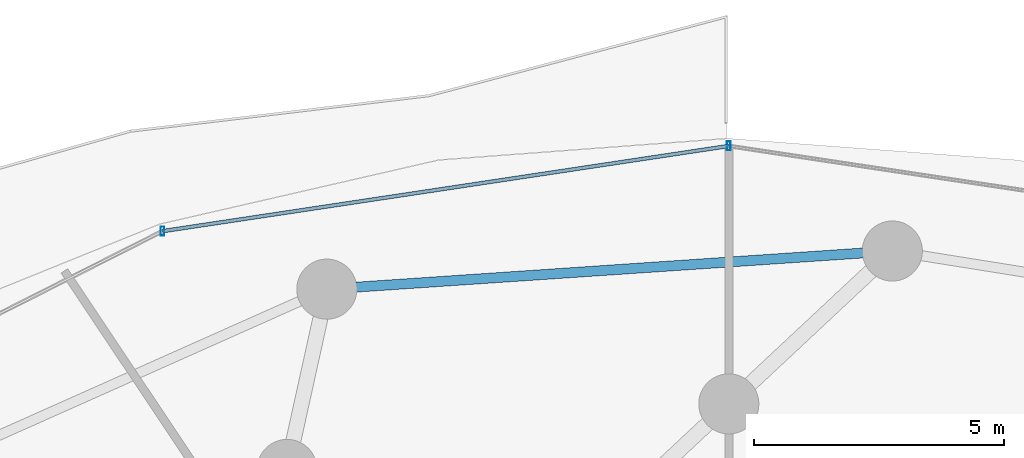
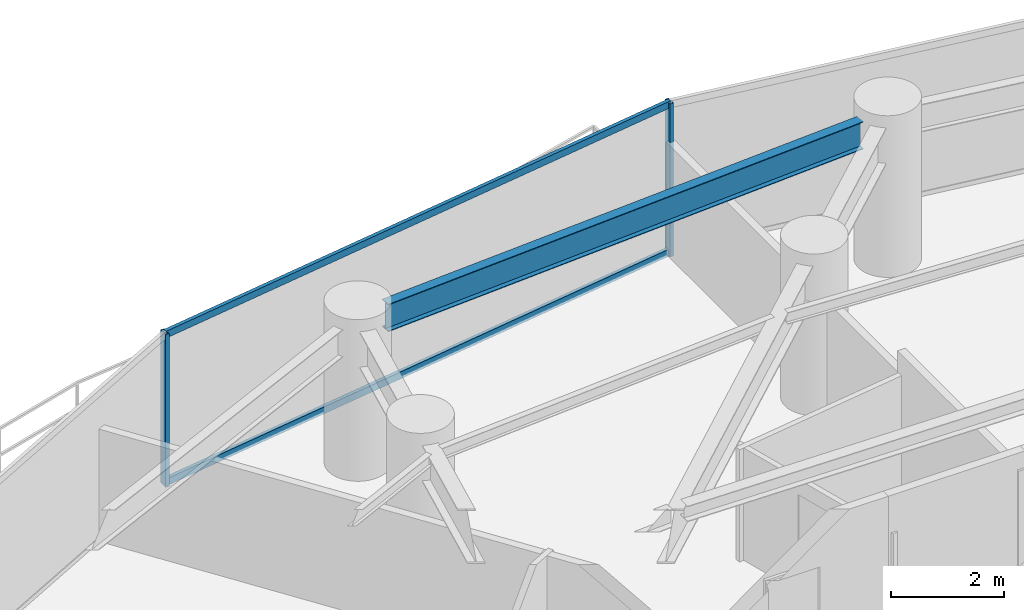
# One storey, part 22 of 35: 4 members, 1 beam, 1 element without a shape of its own.
"""IFC4 building model written with IfcOpenShell, lengths in metres."""

from ifc_helpers import new_model, si_unit, direction, frame, origin, origin_2d, place, context, subcontext, project, spatial, hollow_rectangle, i_section, extrude, material, material_profile, profile_set, type_object, element, aggregate, save


model = new_model("IFC4")

# Units and contexts
model_context = context("Model", 3, precision=1e-05, world=origin(), true_north=direction((0.0, 1.0)))
body_context = subcontext(model_context, "Body", "Model", "MODEL_VIEW")
ifc_project = project(units=[si_unit("LENGTHUNIT", "METRE"), si_unit("AREAUNIT", "SQUARE_METRE"), si_unit("VOLUMEUNIT", "CUBIC_METRE"), si_unit("PLANEANGLEUNIT", "RADIAN"), si_unit("MASSUNIT", "GRAM", prefix="KILO")], contexts=[model_context])

# Site, building, storey
site_placement = place(None, origin())
site = spatial("IfcSite", under=ifc_project, at=site_placement, CompositionType="ELEMENT")
building_placement = place(site_placement, origin())
building = spatial("IfcBuilding", under=site, at=building_placement, Name="Vorneva Point Tower", CompositionType="ELEMENT")
storey_placement = place(building_placement, frame((0.0, 0.0, 52.0)))
storey = spatial("IfcBuildingStorey", under=building, at=storey_placement, Name="L13", CompositionType="ELEMENT", Elevation=52.0)

# Beam
ifc_material_1 = material(Name="Steel S355", Category="steel")
ifc_material_profile_1 = material_profile(ifc_material_1, i_section(OverallWidth=0.198974609375, OverallDepth=0.595947265625, WebThickness=0.010009765625, FlangeThickness=0.014892578125, at=origin_2d()), Name="60B1")
ifc_profile_set_1 = profile_set([ifc_material_profile_1], Name="Steel S355")
beam_type = type_object("IfcBeamType", Name="BM-SPN-60B1", PredefinedType="SPANDREL", material=ifc_profile_set_1)
beam_placement = place(storey_placement, frame((40.681396484375, 46.213134765625, 2.94189453125), z_axis=(-0.997737743222, -0.067226451264, 0.0), x_axis=(0.067226451264, -0.997737743222, 0.0)))
element("IfcBeam", 1, at=beam_placement, inside=storey, type_object=beam_type, Name="L13 Perimeter Spandrel Ring Beam 05", PredefinedType="SPANDREL", context=body_context, shape_type="SweptSolid", body=[
    extrude(i_section(OverallWidth=0.198974609375, OverallDepth=0.595947265625, WebThickness=0.010009765625, FlangeThickness=0.014892578125, at=origin_2d()), origin(), (0.0, 0.0, 1.0), 10.146728515625),
])

# Curtain wall, members
ifc_material_2 = material(Name="Pale anodised aluminium", Category="aluminium")
curtain_wall_type = type_object("IfcCurtainWallType", Name="CW-HTL-SYS", PredefinedType="NOTDEFINED", material=ifc_material_2)
curtain_wall_placement = place(storey_placement, origin())
curtain_wall = element("IfcCurtainWall", 2, at=curtain_wall_placement, inside=storey, type_object=curtain_wall_type, Name="L13 Unitised Curtain Wall CW-L13-R02", PredefinedType="NOTDEFINED")
ifc_material_profile_2 = material_profile(ifc_material_2, hollow_rectangle(XDim=0.074951171875, YDim=0.179931640625, WallThickness=0.00390625, at=origin_2d()), Name="AL-MUL 180x75x4")
ifc_profile_set_2 = profile_set([ifc_material_profile_2], Name="Pale anodised aluminium")
member_type_1 = type_object("IfcMemberType", Name="CW-MUL-180", PredefinedType="MULLION", material=ifc_profile_set_2)
member_1_placement = place(storey_placement, frame((38.0, 48.35009765625, -0.0400390625), z_axis=(0.0, 0.0, 1.0), x_axis=(1.0, 0.0, 0.0)))
member_1 = element("IfcMember", 3, at=member_1_placement, type_object=member_type_1, Name="CW-L13-R02 Mullion 03", PredefinedType="MULLION", context=body_context, shape_type="SweptSolid", body=[
    extrude(hollow_rectangle(XDim=0.074951171875, YDim=0.179931640625, WallThickness=0.00390625, at=origin_2d()), origin(), (0.0, 0.0, 1.0), 3.31005859375),
])
member_2_placement = place(storey_placement, frame((26.691650390625, 46.648681640625, -0.0400390625), z_axis=(0.0, 0.0, 1.0), x_axis=(1.0, 0.0, 0.0)))
member_2 = element("IfcMember", 4, at=member_2_placement, type_object=member_type_1, Name="CW-L13-R02 Mullion 04", PredefinedType="MULLION", context=body_context, shape_type="SweptSolid", body=[
    extrude(hollow_rectangle(XDim=0.074951171875, YDim=0.179931640625, WallThickness=0.00390625, at=origin_2d()), origin(), (0.0, 0.0, 1.0), 3.31005859375),
])
ifc_material_profile_3 = material_profile(ifc_material_2, hollow_rectangle(XDim=0.074951171875, YDim=0.14990234375, WallThickness=0.00390625, at=origin_2d()), Name="AL-TRN 150x75x4")
ifc_profile_set_3 = profile_set([ifc_material_profile_3], Name="Pale anodised aluminium")
member_type_2 = type_object("IfcMemberType", Name="CW-TRN-150", PredefinedType="USERDEFINED", material=ifc_profile_set_3)
member_3_placement = place(storey_placement, frame((38.0, 48.35009765625, 0.02001953125), z_axis=(-0.988870014575, -0.148782036131, 0.0), x_axis=(0.148782036131, -0.988870014575, 0.0)))
member_3 = element("IfcMember", 5, at=member_3_placement, type_object=member_type_2, Name="CW-L13-R02 Transom 03.1", ObjectType="TRANSOM", PredefinedType="USERDEFINED", context=body_context, shape_type="SweptSolid", body=[
    extrude(hollow_rectangle(XDim=0.074951171875, YDim=0.14990234375, WallThickness=0.00390625, at=origin_2d()), origin(), (0.0, 0.0, 1.0), 11.435546875),
])
member_4_placement = place(storey_placement, frame((38.0, 48.35009765625, 3.219970703125), z_axis=(-0.988870014575, -0.148782036131, 0.0), x_axis=(0.148782036131, -0.988870014575, 0.0)))
member_4 = element("IfcMember", 6, at=member_4_placement, type_object=member_type_2, Name="CW-L13-R02 Transom 03.2", ObjectType="TRANSOM", PredefinedType="USERDEFINED", context=body_context, shape_type="SweptSolid", body=[
    extrude(hollow_rectangle(XDim=0.074951171875, YDim=0.14990234375, WallThickness=0.00390625, at=origin_2d()), origin(), (0.0, 0.0, 1.0), 11.435546875),
])
aggregate(curtain_wall, [member_1, member_2, member_3, member_4])

save(model, "model.ifc")
